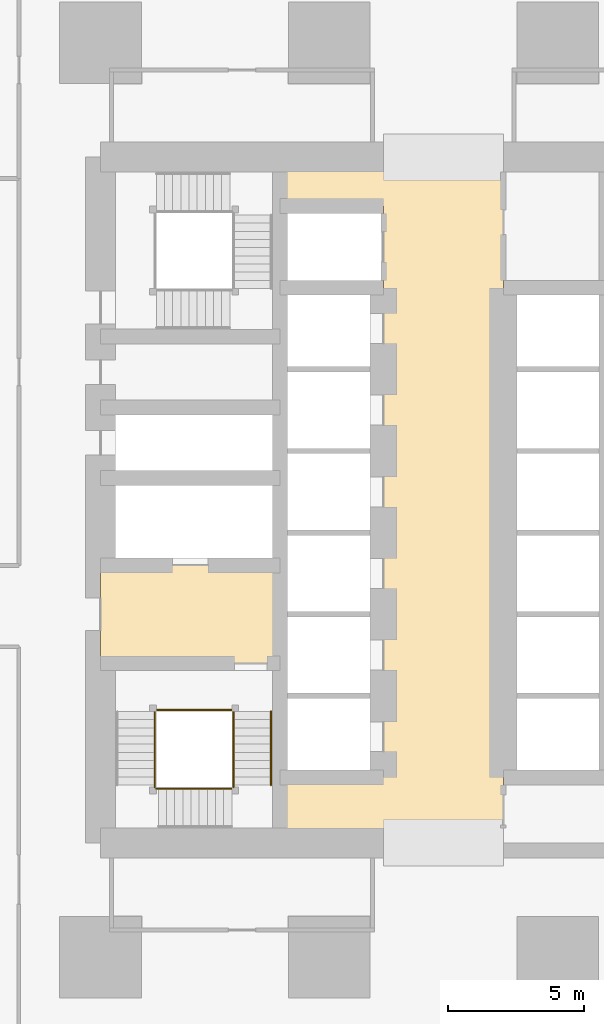
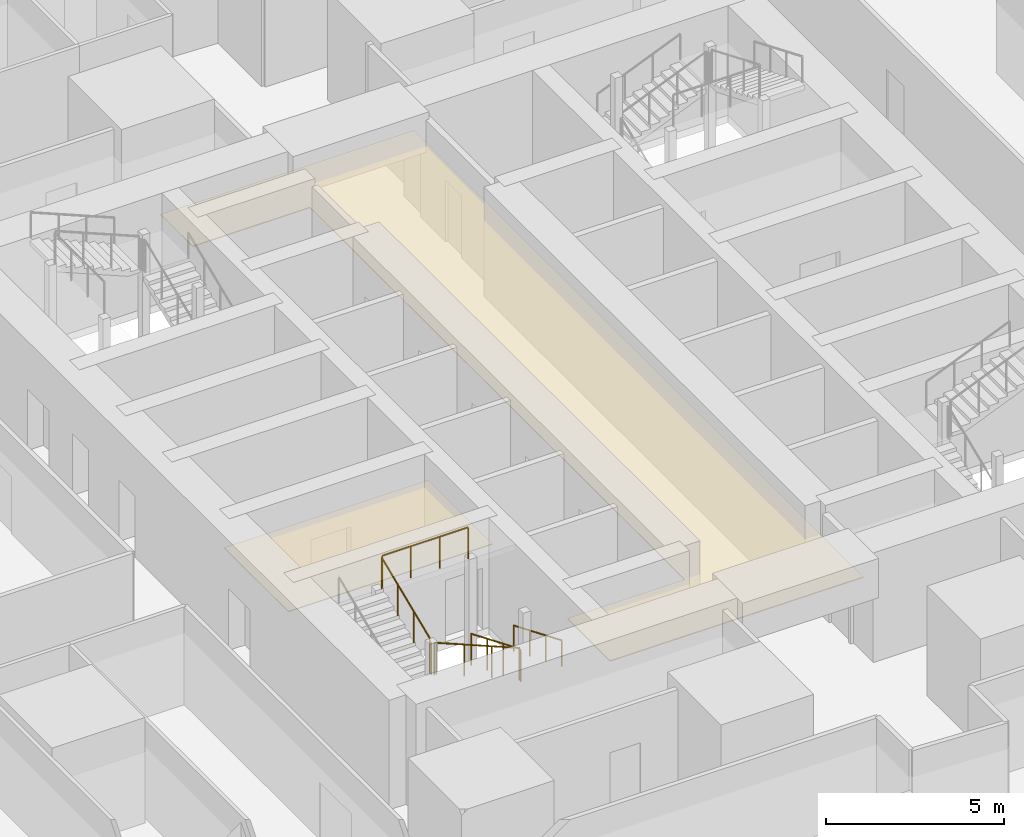
# One storey, part 38 of 45: 8 railings, 2 coverings.
"""IFC4 building model written with IfcOpenShell, lengths in metres."""

import ifcopenshell
import ifcopenshell.guid

model = None  # the IFC model being written
_history = None  # IfcOwnerHistory: only IFC2X3 demands one
_inside = {}  # id of a spatial element -> (the spatial element, [elements in it])
_under = {}  # id of a project, library or spatial element -> (it, [spatial elements below it])
_declared = {}  # id of a project -> (the project, [libraries it declares])
_typed = {}  # id of a type object -> (the type object, [elements of that type])
_made_of = {}  # id of a material, layer set ... -> (it, [elements and type objects made of it])


def new_model(schema):
    """Start an empty IFC model of exactly this schema.

    Asked for "IFC4X3", IfcOpenShell would pick the latest addendum, in which some entities
    have other attributes; the version numbers below select the first issue.
    IFC2X3 requires an IfcOwnerHistory on every rooted entity: one is made here for all.
    """
    global model, _history
    if schema == "IFC4X3":
        model = ifcopenshell.file(schema_version=(4, 3, 0, 0))
    else:
        model = ifcopenshell.file(schema=schema)
    _inside.clear()
    _under.clear()
    _declared.clear()
    _typed.clear()
    _made_of.clear()
    _history = None
    if model.schema == "IFC2X3":
        org = make("IfcOrganization", Name="unknown")
        user = make(
            "IfcPersonAndOrganization",
            ThePerson=make("IfcPerson", FamilyName="unknown"),
            TheOrganization=org,
        )
        app = make(
            "IfcApplication",
            ApplicationDeveloper=org,
            Version="unknown",
            ApplicationFullName="unknown",
            ApplicationIdentifier="unknown",
        )
        _history = make(
            "IfcOwnerHistory",
            OwningUser=user,
            OwningApplication=app,
            ChangeAction="ADDED",
            CreationDate=0,
        )
    return model


def make(cls, **values):
    """One entity of the class cls with the attributes given. An attribute that is None is left unset."""
    return model.create_entity(
        cls, **{name: value for name, value in values.items() if value is not None}
    )


def rooted(cls, **values):
    """An entity with a GlobalId (a new one), such as an element, a storey or a relation."""
    return make(cls, GlobalId=ifcopenshell.guid.new(), OwnerHistory=_history, **values)


def si_unit(unit_type, name, prefix=None):
    """IfcSIUnit, for example si_unit("LENGTHUNIT", "METRE", prefix="MILLI")."""
    return make("IfcSIUnit", UnitType=unit_type, Prefix=prefix, Name=name)


def assignment(units):
    """IfcUnitAssignment: the units of a project."""
    return None if units is None else make("IfcUnitAssignment", Units=units)


def point(xyz):
    """IfcCartesianPoint."""
    return None if xyz is None else make("IfcCartesianPoint", Coordinates=xyz)


def direction(xyz):
    """IfcDirection."""
    return None if xyz is None else make("IfcDirection", DirectionRatios=xyz)


def frame(location, z_axis=None, x_axis=None):
    """IfcAxis2Placement3D, a coordinate frame: its origin and axes. An axis left out is left unset."""
    return make(
        "IfcAxis2Placement3D",
        Location=point(location),
        Axis=direction(z_axis),
        RefDirection=direction(x_axis),
    )


def frame_2d(location, x_axis=None):
    """IfcAxis2Placement2D, a coordinate frame in the plane: its origin and x axis."""
    return make(
        "IfcAxis2Placement2D", Location=point(location), RefDirection=direction(x_axis)
    )


def origin():
    """The frame at (0, 0, 0) with its axes left unset."""
    return frame((0.0, 0.0, 0.0))


def origin_2d():
    """The frame at (0, 0) in the plane with its x axis left unset."""
    return frame_2d((0.0, 0.0))


def place(relative_to, where):
    """IfcLocalPlacement: puts the frame where relative to a parent placement (None: the world)."""
    return make(
        "IfcLocalPlacement", PlacementRelTo=relative_to, RelativePlacement=where
    )


def context(
    kind, dimensions, precision=None, world=None, true_north=None, identifier=None
):
    """IfcGeometricRepresentationContext, for example the 3D "Model" context."""
    return make(
        "IfcGeometricRepresentationContext",
        ContextIdentifier=identifier,
        ContextType=kind,
        CoordinateSpaceDimension=dimensions,
        Precision=precision,
        WorldCoordinateSystem=world,
        TrueNorth=true_north,
    )


def subcontext(parent, identifier, kind, view, scale=None):
    """IfcGeometricRepresentationSubContext, for example "Body" below "Model"."""
    return make(
        "IfcGeometricRepresentationSubContext",
        ContextIdentifier=identifier,
        ContextType=kind,
        ParentContext=parent,
        TargetScale=scale,
        TargetView=view,
    )


def project(units=None, contexts=None):
    """IfcProject with its units and contexts."""
    return rooted(
        "IfcProject",
        Name="project",
        RepresentationContexts=contexts,
        UnitsInContext=assignment(units),
    )


def spatial(cls, under=None, at=None, **own):
    """A site, building, storey or space (cls), placed at a placement, below another one or the project."""
    s = rooted(cls, ObjectPlacement=at, **own)
    if under is not None:
        _under.setdefault(under.id(), (under, []))[1].append(s)
    return s


def polyline(points):
    """IfcPolyline through the points."""
    return make("IfcPolyline", Points=[point(p) for p in points])


def profile(cls, at=None, kind="AREA", **sizes):
    """A parametric profile (cls). Its sizes go by their IFC names, for example OverallWidth=200.0."""
    return make(cls, ProfileType=kind, Position=at, **sizes)


def circle(**sizes):
    """IfcCircleProfileDef."""
    return profile("IfcCircleProfileDef", **sizes)


def outline(outer, holes=None, kind="AREA"):
    """IfcArbitraryClosedProfileDef: a profile drawn as a closed curve; with holes, ...WithVoids."""
    if holes is None:
        return make("IfcArbitraryClosedProfileDef", ProfileType=kind, OuterCurve=outer)
    return make(
        "IfcArbitraryProfileDefWithVoids",
        ProfileType=kind,
        OuterCurve=outer,
        InnerCurves=holes,
    )


def extrude(swept, where, along, depth):
    """IfcExtrudedAreaSolid: the profile swept, set in the frame where, extruded along a direction by depth."""
    return make(
        "IfcExtrudedAreaSolid",
        SweptArea=swept,
        Position=where,
        ExtrudedDirection=direction(along),
        Depth=depth,
    )


def shape(context_of_items, identifier, shape_type, items):
    """IfcShapeRepresentation: the items that make up one representation, for example the "Body"."""
    return make(
        "IfcShapeRepresentation",
        ContextOfItems=context_of_items,
        RepresentationIdentifier=identifier,
        RepresentationType=shape_type,
        Items=items,
    )


def material(Name=None, Category=None):
    """IfcMaterial."""
    return make("IfcMaterial", Name=Name, Category=Category)


def layer(
    of_material, thickness, ventilated=None, Name=None, Category=None, Priority=None
):
    """IfcMaterialLayer: one layer of a wall or slab, of a material (None: an air gap)."""
    return make(
        "IfcMaterialLayer",
        Material=of_material,
        LayerThickness=thickness,
        IsVentilated=ventilated,
        Name=Name,
        Category=Category,
        Priority=Priority,
    )


def layer_set(layers, Name=None):
    """IfcMaterialLayerSet."""
    return make("IfcMaterialLayerSet", MaterialLayers=layers, LayerSetName=Name)


def made_of(thing, what):
    """Note that an element or type object is made of a material, layer set ...; save() writes the relation."""
    if what is not None:
        _made_of.setdefault(what.id(), (what, []))[1].append(thing)
    return thing


def type_object(cls, material=None, **own):
    """A type object (cls), such as IfcWallType, which elements share."""
    return made_of(rooted(cls, **own), material)


def element(
    cls,
    number,
    at=None,
    inside=None,
    cuts=None,
    type_object=None,
    material=None,
    context=None,
    identifier="Body",
    shape_type=None,
    held_by="IfcProductDefinitionShape",
    body=None,
    shapes=None,
    **own,
):
    """One element of the class cls, such as IfcWall. Its Tag is "e" and its number.

    at: its placement. inside: the storey or other place that contains it. cuts: it is an
    opening in that element (IfcRelVoidsElement). A single representation is given by context,
    identifier, shape_type and body (its items); several are given by shapes. held_by: the class
    of the entity that holds the representations. save() writes the other relations.
    """
    e = rooted(cls, Tag="e%d" % number, ObjectPlacement=at, **own)
    if body is not None:
        shapes = [shape(context, identifier, shape_type, body)]
    if shapes is not None:
        e.Representation = make(held_by, Representations=shapes)
    if inside is not None:
        _inside.setdefault(inside.id(), (inside, []))[1].append(e)
    if cuts is not None:
        rooted(
            "IfcRelVoidsElement", RelatingBuildingElement=cuts, RelatedOpeningElement=e
        )
    if type_object is not None:
        _typed.setdefault(type_object.id(), (type_object, []))[1].append(e)
    return made_of(e, material)


def aggregate(whole, parts):
    """IfcRelAggregates: a whole, such as a stair, and the parts it consists of."""
    return rooted("IfcRelAggregates", RelatingObject=whole, RelatedObjects=parts)


def save(model, path):
    """Write the relations noted so far, then the file.

    IfcRelAggregates (storeys below a building ...), IfcRelContainedInSpatialStructure (elements
    in a storey), IfcRelDefinesByType, IfcRelAssociatesMaterial and IfcRelDeclares: one each for
    every whole, place, type object, material and project.
    """
    for whole, parts in _under.values():
        aggregate(whole, parts)
    for where, things in _inside.values():
        rooted(
            "IfcRelContainedInSpatialStructure",
            RelatedElements=things,
            RelatingStructure=where,
        )
    for kind, things in _typed.values():
        rooted("IfcRelDefinesByType", RelatedObjects=things, RelatingType=kind)
    for what, things in _made_of.values():
        rooted("IfcRelAssociatesMaterial", RelatedObjects=things, RelatingMaterial=what)
    for by, libraries in _declared.values():
        rooted("IfcRelDeclares", RelatingContext=by, RelatedDefinitions=libraries)
    model.write(path)


model = new_model("IFC4")

# Units and contexts
model_context = context("Model", 3, precision=1e-05, world=origin(), true_north=direction((0.0, 1.0)))
body_context = subcontext(model_context, "Body", "Model", "MODEL_VIEW")
ifc_project = project(units=[si_unit("LENGTHUNIT", "METRE"), si_unit("AREAUNIT", "SQUARE_METRE"), si_unit("VOLUMEUNIT", "CUBIC_METRE"), si_unit("PLANEANGLEUNIT", "RADIAN"), si_unit("MASSUNIT", "GRAM", prefix="KILO")], contexts=[model_context])

# Site, building, storey
site_placement = place(None, origin())
site = spatial("IfcSite", under=ifc_project, at=site_placement, CompositionType="ELEMENT")
building_placement = place(site_placement, origin())
building = spatial("IfcBuilding", under=site, at=building_placement, Name="Rekha Terrace Tower", CompositionType="ELEMENT")
storey_placement = place(building_placement, frame((0.0, 0.0, 77.89990234375)))
storey = spatial("IfcBuildingStorey", under=building, at=storey_placement, Name="L19", CompositionType="ELEMENT", Elevation=77.89990234375)

# Coverings
ifc_material_1 = material(Name="Powder-coated aluminium pan", Category="aluminium")
ifc_layer = layer(ifc_material_1, 0.030029296875)
ifc_layer_set = layer_set([ifc_layer], Name="Powder-coated aluminium pan")
covering_type = type_object("IfcCoveringType", Name="CL3 300x1200 metal pan ceiling", PredefinedType="CEILING", material=ifc_layer_set)
covering_1_placement = place(storey_placement, frame((0.0, 0.0, 2.570068359375)))
element("IfcCovering", 1, at=covering_1_placement, inside=storey, type_object=covering_type, Name="Ceiling L19-LOBBY", PredefinedType="CEILING", context=body_context, shape_type="SweptSolid", body=[
    extrude(outline(polyline([(35.60009765625, 44.39990234375), (35.60009765625, 23.39990234375), (31.800048828125, 23.39990234375), (31.800048828125, 21.0), (40.0, 21.0), (40.0, 46.199951171875), (31.800048828125, 46.199951171875), (31.800048828125, 44.39990234375), (35.60009765625, 44.39990234375)])), origin(), (0.0, 0.0, 1.0), 0.030029296875),
])
covering_2_placement = place(storey_placement, frame((0.0, 0.0, 2.570068359375)))
element("IfcCovering", 2, at=covering_2_placement, inside=storey, type_object=covering_type, Name="Ceiling L19-FLB1", PredefinedType="CEILING", context=body_context, shape_type="SweptSolid", body=[
    extrude(outline(polyline([(31.800048828125, 31.199951171875), (25.199951171875, 31.199951171875), (25.199951171875, 27.60009765625), (31.800048828125, 27.60009765625), (31.800048828125, 31.199951171875)])), origin(), (0.0, 0.0, 1.0), 0.030029296875),
])

# Railings
ifc_material_2 = material(Name="Stainless steel balustrade", Category="steel")
railing_type_1 = type_object("IfcRailingType", Name="GR1 1100 stair guard", PredefinedType="GUARDRAIL", material=ifc_material_2)
railing_1_placement = place(storey_placement, frame((30.0849609375, 25.824951171875, 0.125)))
element("IfcRailing", 3, at=railing_1_placement, inside=storey, type_object=railing_type_1, Name="Guard ST1 L19 flight 1", PredefinedType="GUARDRAIL", context=body_context, shape_type="SweptSolid", body=[
    extrude(circle(Radius=0.02392578125, at=origin_2d()), frame((0.0, 0.0, 1.076171875), z_axis=(0.0, -0.923074453586, 0.384621311341), x_axis=(1.0, 0.0, 0.0)), (0.0, 0.0, 1.0), 2.925048828125),
    extrude(circle(Radius=0.02099609375, at=origin_2d()), origin(), (0.0, 0.0, 1.0), 1.052001953125),
    extrude(circle(Radius=0.02099609375, at=origin_2d()), frame((0.0, -0.89990234375, 0.375)), (0.0, 0.0, 1.0), 1.052001953125),
    extrude(circle(Radius=0.02099609375, at=origin_2d()), frame((0.0, -1.800048828125, 0.75)), (0.0, 0.0, 1.0), 1.052001953125),
    extrude(circle(Radius=0.02099609375, at=origin_2d()), frame((0.0, -2.699951171875, 1.125)), (0.0, 0.0, 1.0), 1.052001953125),
])
railing_2_placement = place(storey_placement, frame((30.02490234375, 22.989990234375, 1.375)))
element("IfcRailing", 4, at=railing_2_placement, inside=storey, type_object=railing_type_1, Name="Guard ST1 L19 flight 2", PredefinedType="GUARDRAIL", context=body_context, shape_type="SweptSolid", body=[
    extrude(circle(Radius=0.02392578125, at=origin_2d()), frame((0.0, 0.0, 1.076171875), z_axis=(-0.923074453586, 0.0, 0.384621311341), x_axis=(0.0, -1.0, 0.0)), (0.0, 0.0, 1.0), 2.925048828125),
    extrude(circle(Radius=0.02099609375, at=origin_2d()), origin(), (0.0, 0.0, 1.0), 1.052001953125),
    extrude(circle(Radius=0.02099609375, at=origin_2d()), frame((-0.89990234375, 0.0, 0.375)), (0.0, 0.0, 1.0), 1.052001953125),
    extrude(circle(Radius=0.02099609375, at=origin_2d()), frame((-1.800048828125, 0.0, 0.75)), (0.0, 0.0, 1.0), 1.052001953125),
    extrude(circle(Radius=0.02099609375, at=origin_2d()), frame((-2.699951171875, 0.0, 1.125)), (0.0, 0.0, 1.0), 1.052001953125),
])
railing_3_placement = place(storey_placement, frame((27.18994140625, 23.125, 2.625)))
element("IfcRailing", 5, at=railing_3_placement, inside=storey, type_object=railing_type_1, Name="Guard ST1 L19 flight 3", PredefinedType="GUARDRAIL", context=body_context, shape_type="SweptSolid", body=[
    extrude(circle(Radius=0.02392578125, at=origin_2d()), frame((0.0, 0.0, 1.076171875), z_axis=(0.0, 0.923074453586, 0.384621311341), x_axis=(-1.0, 0.0, 0.0)), (0.0, 0.0, 1.0), 2.925048828125),
    extrude(circle(Radius=0.02099609375, at=origin_2d()), origin(), (0.0, 0.0, 1.0), 1.052001953125),
    extrude(circle(Radius=0.02099609375, at=origin_2d()), frame((0.0, 0.89990234375, 0.375)), (0.0, 0.0, 1.0), 1.052001953125),
    extrude(circle(Radius=0.02099609375, at=origin_2d()), frame((0.0, 1.800048828125, 0.75)), (0.0, 0.0, 1.0), 1.052001953125),
    extrude(circle(Radius=0.02099609375, at=origin_2d()), frame((0.0, 2.699951171875, 1.125)), (0.0, 0.0, 1.0), 1.052001953125),
])
railing_4_placement = place(storey_placement, frame((30.0849609375, 23.125, 1.25)))
element("IfcRailing", 6, at=railing_4_placement, inside=storey, type_object=railing_type_1, Name="Guard ST1 L19 landing 1", PredefinedType="GUARDRAIL", context=body_context, shape_type="SweptSolid", body=[
    extrude(circle(Radius=0.02392578125, at=origin_2d()), frame((0.0, 0.0, 1.076171875), z_axis=(0.0, -1.0, 0.0), x_axis=(1.0, 0.0, 0.0)), (0.0, 0.0, 1.0), 0.074951171875),
    extrude(circle(Radius=0.02099609375, at=origin_2d()), origin(), (0.0, 0.0, 1.0), 1.052001953125),
    extrude(circle(Radius=0.02099609375, at=origin_2d()), frame((0.0, -0.074951171875, 0.0)), (0.0, 0.0, 1.0), 1.052001953125),
])
railing_5_placement = place(storey_placement, frame((27.324951171875, 22.989990234375, 2.5)))
element("IfcRailing", 7, at=railing_5_placement, inside=storey, type_object=railing_type_1, Name="Guard ST1 L19 landing 2", PredefinedType="GUARDRAIL", context=body_context, shape_type="SweptSolid", body=[
    extrude(circle(Radius=0.02392578125, at=origin_2d()), frame((0.0, 0.0, 1.076171875), z_axis=(-1.0, 0.0, 0.0), x_axis=(0.0, -1.0, 0.0)), (0.0, 0.0, 1.0), 0.074951171875),
    extrude(circle(Radius=0.02099609375, at=origin_2d()), origin(), (0.0, 0.0, 1.0), 1.052001953125),
    extrude(circle(Radius=0.02099609375, at=origin_2d()), frame((-0.074951171875, 0.0, 0.0)), (0.0, 0.0, 1.0), 1.052001953125),
])
railing_6_placement = place(storey_placement, frame((27.18994140625, 23.125, 2.5)))
element("IfcRailing", 8, at=railing_6_placement, inside=storey, type_object=railing_type_1, Name="Guard ST1 L19 landing 3", PredefinedType="GUARDRAIL", context=body_context, shape_type="SweptSolid", body=[
    extrude(circle(Radius=0.02392578125, at=origin_2d()), frame((0.0, 0.0, 1.076171875), z_axis=(0.0, -1.0, 0.0), x_axis=(1.0, 0.0, 0.0)), (0.0, 0.0, 1.0), 0.074951171875),
    extrude(circle(Radius=0.02099609375, at=origin_2d()), origin(), (0.0, 0.0, 1.0), 1.052001953125),
    extrude(circle(Radius=0.02099609375, at=origin_2d()), frame((0.0, -0.074951171875, 0.0)), (0.0, 0.0, 1.0), 1.052001953125),
])
railing_7_placement = place(storey_placement, frame((30.02490234375, 25.885009765625, 3.75)))
element("IfcRailing", 9, at=railing_7_placement, inside=storey, type_object=railing_type_1, Name="Guard ST1 L19 landing 4", PredefinedType="GUARDRAIL", context=body_context, shape_type="SweptSolid", body=[
    extrude(circle(Radius=0.02392578125, at=origin_2d()), frame((0.0, 0.0, 1.076171875), z_axis=(-1.0, 0.0, 0.0), x_axis=(0.0, -1.0, 0.0)), (0.0, 0.0, 1.0), 2.77490234375),
    extrude(circle(Radius=0.02099609375, at=origin_2d()), origin(), (0.0, 0.0, 1.0), 1.052001953125),
    extrude(circle(Radius=0.02099609375, at=origin_2d()), frame((-0.925048828125, 0.0, 0.0)), (0.0, 0.0, 1.0), 1.052001953125),
    extrude(circle(Radius=0.02099609375, at=origin_2d()), frame((-1.849853515625, 0.0, 0.0)), (0.0, 0.0, 1.0), 1.052001953125),
    extrude(circle(Radius=0.02099609375, at=origin_2d()), frame((-2.77490234375, 0.0, 0.0)), (0.0, 0.0, 1.0), 1.052001953125),
])
ifc_material_3 = material(Name="Stainless steel tube", Category="steel")
railing_type_2 = type_object("IfcRailingType", Name="HR1 900 stair handrail", PredefinedType="HANDRAIL", material=ifc_material_3)
railing_8_placement = place(storey_placement, frame((31.465087890625, 25.824951171875, 0.125)))
element("IfcRailing", 10, at=railing_8_placement, inside=storey, type_object=railing_type_2, Name="Handrail ST1 L19 flight 1", PredefinedType="HANDRAIL", context=body_context, shape_type="SweptSolid", body=[
    extrude(circle(Radius=0.02392578125, at=origin_2d()), frame((0.0, 0.0, 0.8759765625), z_axis=(0.0, -0.923074453586, 0.384621311341), x_axis=(1.0, 0.0, 0.0)), (0.0, 0.0, 1.0), 2.925048828125),
    extrude(circle(Radius=0.02099609375, at=origin_2d()), origin(), (0.0, 0.0, 1.0), 0.851806640625),
    extrude(circle(Radius=0.02099609375, at=origin_2d()), frame((0.0, -0.89990234375, 0.375)), (0.0, 0.0, 1.0), 0.851806640625),
    extrude(circle(Radius=0.02099609375, at=origin_2d()), frame((0.0, -1.800048828125, 0.75)), (0.0, 0.0, 1.0), 0.851806640625),
    extrude(circle(Radius=0.02099609375, at=origin_2d()), frame((0.0, -2.699951171875, 1.125)), (0.0, 0.0, 1.0), 0.851806640625),
])

save(model, "model.ifc")
